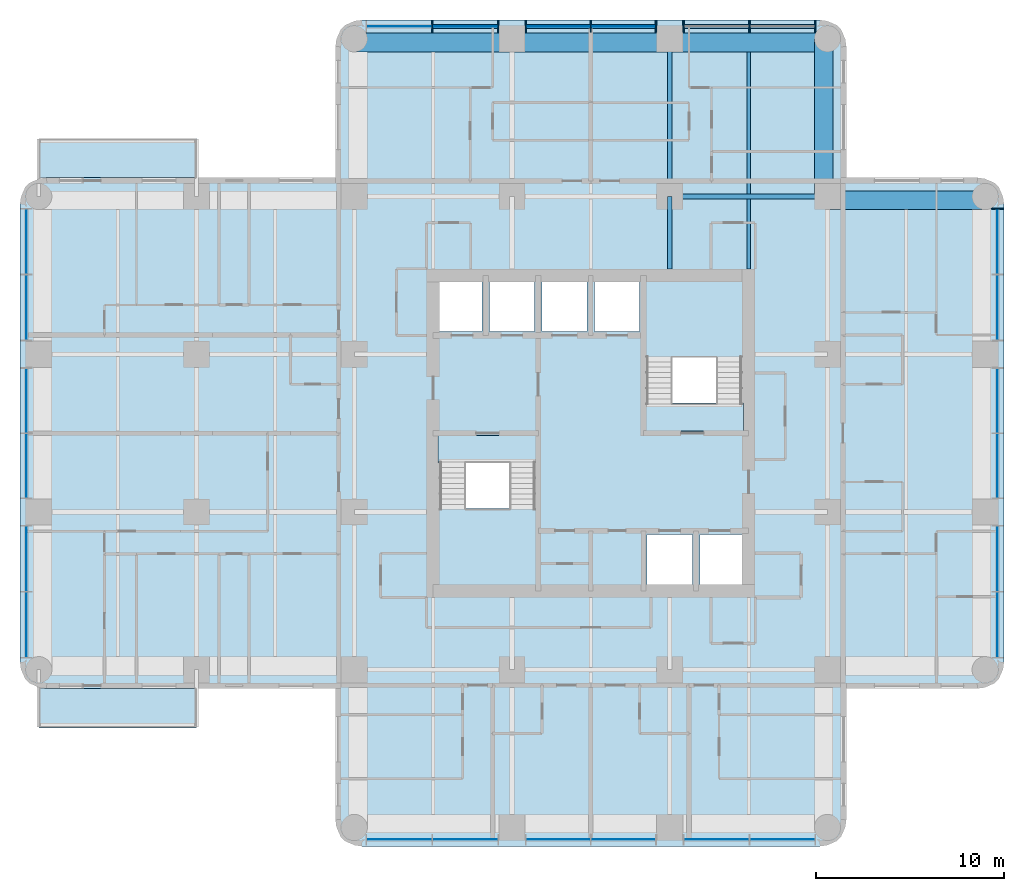
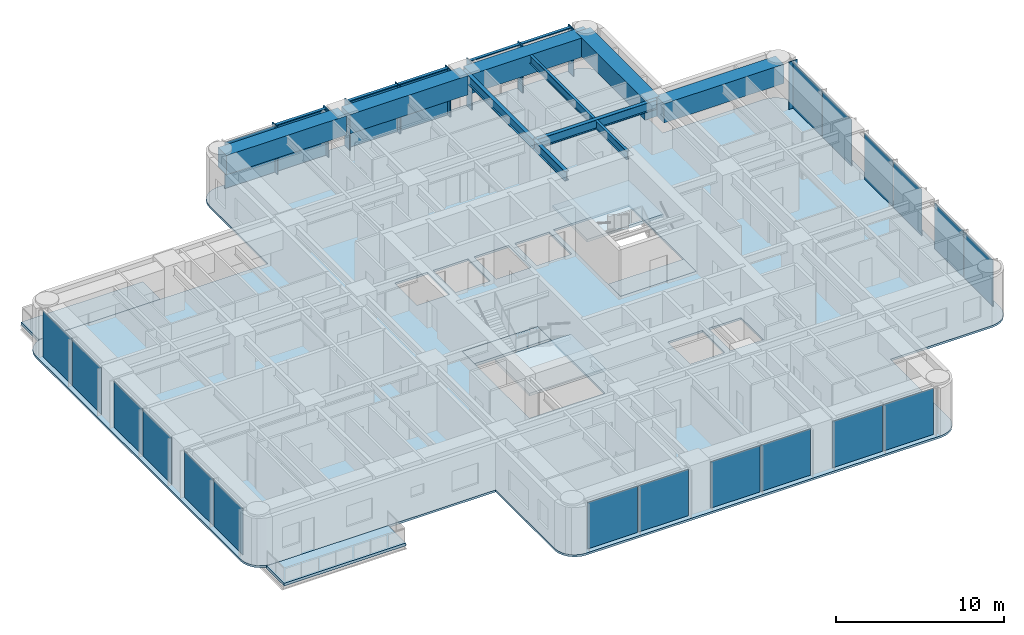
# One storey, part 3 of 11: 22 plates, 14 members, 10 beams, 7 slabs, 6 elements without a shape of their own.
"""IFC4 building model written with IfcOpenShell, lengths in metres."""

from ifc_helpers import new_model, si_unit, direction, frame, origin, origin_2d, place, context, subcontext, project, spatial, polyline, rectangle, i_section, outline, extrude, material, layer, layer_set, material_profile, profile_set, type_object, element, aggregate, save


model = new_model("IFC4")

# Units and contexts
model_context = context("Model", 3, precision=1e-05, world=origin(), true_north=direction((0.0, 1.0)))
body_context = subcontext(model_context, "Body", "Model", "MODEL_VIEW")
ifc_project = project(units=[si_unit("LENGTHUNIT", "METRE"), si_unit("AREAUNIT", "SQUARE_METRE"), si_unit("VOLUMEUNIT", "CUBIC_METRE"), si_unit("PLANEANGLEUNIT", "RADIAN"), si_unit("MASSUNIT", "GRAM", prefix="KILO")], contexts=[model_context])

# Site, building, storey
site_placement = place(None, origin())
site = spatial("IfcSite", under=ifc_project, at=site_placement, CompositionType="ELEMENT")
building_placement = place(site_placement, origin())
building = spatial("IfcBuilding", under=site, at=building_placement, Name="Torre Alcanfor", CompositionType="ELEMENT")
storey_placement = place(building_placement, frame((0.0, 0.0, 233.699951171875)))
storey = spatial("IfcBuildingStorey", under=building, at=storey_placement, Name="L61", CompositionType="ELEMENT", Elevation=233.699951171875)

# Curtain wall, member
ifc_material_1 = material(Name="Aluminium and glass", Category="aluminium")
curtain_wall_type = type_object("IfcCurtainWallType", Name="CW-A unitised apartment glazing with vertical FIN", PredefinedType="NOTDEFINED", material=ifc_material_1)
curtain_wall_1_placement = place(storey_placement, origin())
curtain_wall_1 = element("IfcCurtainWall", 1, at=curtain_wall_1_placement, inside=storey, type_object=curtain_wall_type, Name="Curtain wall CW-A L61 8", PredefinedType="NOTDEFINED")
ifc_material_2 = material(Name="Bronze anodised aluminium", Category="aluminium")
ifc_material_profile_1 = material_profile(ifc_material_2, rectangle(XDim=0.60009765625, YDim=0.06494140625, at=origin_2d()), Name="CW-A mullion 65x600")
ifc_profile_set_1 = profile_set([ifc_material_profile_1], Name="Bronze anodised aluminium")
member_type_1 = type_object("IfcMemberType", Name="CW-A mullion with vertical FIN 65x600", PredefinedType="MULLION", material=ifc_profile_set_1)
member_1_placement = place(storey_placement, frame((51.050048828125, 41.35546875, 0.0), z_axis=(0.0, 0.0, 1.0), x_axis=(-1.0, 0.0, 0.0)))
member_1 = element("IfcMember", 2, at=member_1_placement, type_object=member_type_1, Name="CW-A mullion 3.3", PredefinedType="MULLION", context=body_context, shape_type="SweptSolid", body=[
    extrude(rectangle(XDim=0.60009765625, YDim=0.06494140625, at=origin_2d()), origin(), (0.0, 0.0, 1.0), 3.449951171875),
])

# Curtain wall, members
curtain_wall_2_placement = place(storey_placement, origin())
curtain_wall_2 = element("IfcCurtainWall", 3, at=curtain_wall_2_placement, inside=storey, type_object=curtain_wall_type, Name="Curtain wall CW-A L61 11", PredefinedType="NOTDEFINED")
member_2_placement = place(storey_placement, frame((41.35546875, 51.050048828125, 0.0), z_axis=(0.0, 0.0, 1.0), x_axis=(0.0, -1.0, 0.0)))
member_2 = element("IfcMember", 4, at=member_2_placement, type_object=member_type_1, Name="CW-A mullion 1.1", PredefinedType="MULLION", context=body_context, shape_type="SweptSolid", body=[
    extrude(rectangle(XDim=0.60009765625, YDim=0.06494140625, at=origin_2d()), origin(), (0.0, 0.0, 1.0), 3.449951171875),
])
member_3_placement = place(storey_placement, frame((37.846435546875, 51.050048828125, 0.0), z_axis=(0.0, 0.0, 1.0), x_axis=(0.0, -1.0, 0.0)))
member_3 = element("IfcMember", 5, at=member_3_placement, type_object=member_type_1, Name="CW-A mullion 1.2", PredefinedType="MULLION", context=body_context, shape_type="SweptSolid", body=[
    extrude(rectangle(XDim=0.60009765625, YDim=0.06494140625, at=origin_2d()), origin(), (0.0, 0.0, 1.0), 3.449951171875),
])
member_4_placement = place(storey_placement, frame((34.33740234375, 51.050048828125, 0.0), z_axis=(0.0, 0.0, 1.0), x_axis=(0.0, -1.0, 0.0)))
member_4 = element("IfcMember", 6, at=member_4_placement, type_object=member_type_1, Name="CW-A mullion 1.3", PredefinedType="MULLION", context=body_context, shape_type="SweptSolid", body=[
    extrude(rectangle(XDim=0.60009765625, YDim=0.06494140625, at=origin_2d()), origin(), (0.0, 0.0, 1.0), 3.449951171875),
])
member_5_placement = place(storey_placement, frame((32.862548828125, 51.050048828125, 0.0), z_axis=(0.0, 0.0, 1.0), x_axis=(0.0, -1.0, 0.0)))
member_5 = element("IfcMember", 7, at=member_5_placement, type_object=member_type_1, Name="CW-A mullion 2.1", PredefinedType="MULLION", context=body_context, shape_type="SweptSolid", body=[
    extrude(rectangle(XDim=0.60009765625, YDim=0.06494140625, at=origin_2d()), origin(), (0.0, 0.0, 1.0), 3.449951171875),
])
member_6_placement = place(storey_placement, frame((29.39990234375, 51.050048828125, 0.0), z_axis=(0.0, 0.0, 1.0), x_axis=(0.0, -1.0, 0.0)))
member_6 = element("IfcMember", 8, at=member_6_placement, type_object=member_type_1, Name="CW-A mullion 2.2", PredefinedType="MULLION", context=body_context, shape_type="SweptSolid", body=[
    extrude(rectangle(XDim=0.60009765625, YDim=0.06494140625, at=origin_2d()), origin(), (0.0, 0.0, 1.0), 3.449951171875),
])
member_7_placement = place(storey_placement, frame((25.9375, 51.050048828125, 0.0), z_axis=(0.0, 0.0, 1.0), x_axis=(0.0, -1.0, 0.0)))
member_7 = element("IfcMember", 9, at=member_7_placement, type_object=member_type_1, Name="CW-A mullion 2.3", PredefinedType="MULLION", context=body_context, shape_type="SweptSolid", body=[
    extrude(rectangle(XDim=0.60009765625, YDim=0.06494140625, at=origin_2d()), origin(), (0.0, 0.0, 1.0), 3.449951171875),
])
member_8_placement = place(storey_placement, frame((24.46240234375, 51.050048828125, 0.0), z_axis=(0.0, 0.0, 1.0), x_axis=(0.0, -1.0, 0.0)))
member_8 = element("IfcMember", 10, at=member_8_placement, type_object=member_type_1, Name="CW-A mullion 3.1", PredefinedType="MULLION", context=body_context, shape_type="SweptSolid", body=[
    extrude(rectangle(XDim=0.60009765625, YDim=0.06494140625, at=origin_2d()), origin(), (0.0, 0.0, 1.0), 3.449951171875),
])
member_9_placement = place(storey_placement, frame((20.95361328125, 51.050048828125, 0.0), z_axis=(0.0, 0.0, 1.0), x_axis=(0.0, -1.0, 0.0)))
member_9 = element("IfcMember", 11, at=member_9_placement, type_object=member_type_1, Name="CW-A mullion 3.2", PredefinedType="MULLION", context=body_context, shape_type="SweptSolid", body=[
    extrude(rectangle(XDim=0.60009765625, YDim=0.06494140625, at=origin_2d()), origin(), (0.0, 0.0, 1.0), 3.449951171875),
])
ifc_material_3 = material(Name="Extruded aluminium", Category="aluminium")
ifc_material_profile_2 = material_profile(ifc_material_3, rectangle(XDim=0.199951171875, YDim=0.06494140625, at=origin_2d()), Name="CW-A transom 200x65")
ifc_profile_set_2 = profile_set([ifc_material_profile_2], Name="Extruded aluminium")
member_type_2 = type_object("IfcMemberType", Name="CW-A transom 65x200", PredefinedType="USERDEFINED", material=ifc_profile_set_2)
member_10_placement = place(storey_placement, frame((41.322998046875, 51.050048828125, 3.41748046875), z_axis=(-1.0, 0.0, 0.0), x_axis=(0.0, -1.0, 0.0)))
member_10 = element("IfcMember", 12, at=member_10_placement, type_object=member_type_2, Name="CW-A transom 1.1.2", ObjectType="TRANSOM", PredefinedType="USERDEFINED", context=body_context, shape_type="SweptSolid", body=[
    extrude(rectangle(XDim=0.199951171875, YDim=0.06494140625, at=origin_2d()), origin(), (0.0, 0.0, 1.0), 3.444091796875),
])
member_11_placement = place(storey_placement, frame((37.81396484375, 51.050048828125, 3.41748046875), z_axis=(-1.0, 0.0, 0.0), x_axis=(0.0, -1.0, 0.0)))
member_11 = element("IfcMember", 13, at=member_11_placement, type_object=member_type_2, Name="CW-A transom 1.2.2", ObjectType="TRANSOM", PredefinedType="USERDEFINED", context=body_context, shape_type="SweptSolid", body=[
    extrude(rectangle(XDim=0.199951171875, YDim=0.06494140625, at=origin_2d()), origin(), (0.0, 0.0, 1.0), 3.44384765625),
])
member_12_placement = place(storey_placement, frame((32.830078125, 51.050048828125, 3.41748046875), z_axis=(-1.0, 0.0, 0.0), x_axis=(0.0, -1.0, 0.0)))
member_12 = element("IfcMember", 14, at=member_12_placement, type_object=member_type_2, Name="CW-A transom 2.1.2", ObjectType="TRANSOM", PredefinedType="USERDEFINED", context=body_context, shape_type="SweptSolid", body=[
    extrude(rectangle(XDim=0.199951171875, YDim=0.06494140625, at=origin_2d()), origin(), (0.0, 0.0, 1.0), 3.3974609375),
])
member_13_placement = place(storey_placement, frame((29.367431640625, 51.050048828125, 3.41748046875), z_axis=(-1.0, 0.0, 0.0), x_axis=(0.0, -1.0, 0.0)))
member_13 = element("IfcMember", 15, at=member_13_placement, type_object=member_type_2, Name="CW-A transom 2.2.2", ObjectType="TRANSOM", PredefinedType="USERDEFINED", context=body_context, shape_type="SweptSolid", body=[
    extrude(rectangle(XDim=0.199951171875, YDim=0.06494140625, at=origin_2d()), origin(), (0.0, 0.0, 1.0), 3.3974609375),
])
member_14_placement = place(storey_placement, frame((24.429931640625, 51.050048828125, 3.41748046875), z_axis=(-1.0, 0.0, 0.0), x_axis=(0.0, -1.0, 0.0)))
member_14 = element("IfcMember", 16, at=member_14_placement, type_object=member_type_2, Name="CW-A transom 3.1.2", ObjectType="TRANSOM", PredefinedType="USERDEFINED", context=body_context, shape_type="SweptSolid", body=[
    extrude(rectangle(XDim=0.199951171875, YDim=0.06494140625, at=origin_2d()), origin(), (0.0, 0.0, 1.0), 3.44384765625),
])

# Beams
ifc_material_4 = material(Name="Steel ASTM A992 Grade 50", Category="steel")
ifc_material_profile_3 = material_profile(ifc_material_4, i_section(OverallWidth=0.25390625, OverallDepth=0.683349609375, WebThickness=0.012451171875, FlangeThickness=0.01904296875, at=origin_2d()), Name="W27x94")
ifc_profile_set_3 = profile_set([ifc_material_profile_3], Name="Steel ASTM A992 Grade 50")
beam_type_1 = type_object("IfcBeamType", Name="Girder W27x94", PredefinedType="BEAM", material=ifc_profile_set_3)
for number, where, z_axis, x_axis, name in (
    (17, (33.60009765625, 42.0, 3.1083984375), (1.0, 0.0, 0.0), (0.0, 1.0, 0.0), "Beam 5H-6H under L62"),
    (18, (33.60009765625, 42.0, 3.1083984375), (0.0, 1.0, 0.0), (-1.0, 0.0, 0.0), "Beam 5H-5J under L62"),
):
    element("IfcBeam", number, at=place(storey_placement, frame(where, z_axis=z_axis, x_axis=x_axis)), inside=storey, type_object=beam_type_1, Name=name, PredefinedType="BEAM", context=body_context, shape_type="SweptSolid", body=[
        extrude(i_section(OverallWidth=0.25390625, OverallDepth=0.683349609375, WebThickness=0.012451171875, FlangeThickness=0.01904296875, at=origin_2d()), origin(), (0.0, 0.0, 1.0), 8.39990234375),
    ])
ifc_material_5 = material(Name="Steel ASTM A992 Grade 50", Category="steel")
ifc_material_profile_4 = material_profile(ifc_material_5, i_section(OverallWidth=0.25390625, OverallDepth=0.683349609375, WebThickness=0.012451171875, FlangeThickness=0.01904296875, at=origin_2d()), Name="W27x94")
ifc_profile_set_4 = profile_set([ifc_material_profile_4], Name="Steel ASTM A992 Grade 50")
beam_type_2 = type_object("IfcBeamType", Name="Girder, part bay W27x94", PredefinedType="BEAM", material=ifc_profile_set_4)
beam_1_placement = place(storey_placement, frame((33.60009765625, 42.0, 3.1083984375), z_axis=(0.0, -1.0, 0.0), x_axis=(1.0, 0.0, 0.0)))
element("IfcBeam", 19, at=beam_1_placement, inside=storey, type_object=beam_type_2, Name="Beam 5H-538_15 under L62", PredefinedType="BEAM", context=body_context, shape_type="SweptSolid", body=[
    extrude(i_section(OverallWidth=0.25390625, OverallDepth=0.683349609375, WebThickness=0.012451171875, FlangeThickness=0.01904296875, at=origin_2d()), origin(), (0.0, 0.0, 1.0), 3.85009765625),
])
ifc_material_6 = material(Name="Concrete f'c 70 MPa", Category="concrete")
ifc_material_profile_5 = material_profile(ifc_material_6, rectangle(XDim=1.0, YDim=1.39990234375, at=origin_2d()), Name="1000x1400")
ifc_profile_set_5 = profile_set([ifc_material_profile_5], Name="Concrete f'c 70 MPa")
beam_type_3 = type_object("IfcBeamType", Name="RC perimeter beam 1000x1400", PredefinedType="BEAM", material=ifc_profile_set_5)
for number, where, z_axis, x_axis, name in (
    (20, (42.126953125, 41.800048828125, 2.75), (1.0, 0.0, 0.0), (0.0, 1.0, 0.0), "Beam 6H-7H under L62"),
    (21, (16.800048828125, 50.199951171875, 2.75), (1.0, 0.0, 0.0), (0.0, 1.0, 0.0), "Beam 3J-4J under L62"),
):
    element("IfcBeam", number, at=place(storey_placement, frame(where, z_axis=z_axis, x_axis=x_axis)), inside=storey, type_object=beam_type_3, Name=name, PredefinedType="BEAM", context=body_context, shape_type="SweptSolid", body=[
        extrude(rectangle(XDim=1.0, YDim=1.39990234375, at=origin_2d()), origin(), (0.0, 0.0, 1.0), 8.27294921875),
    ])
beam_2_placement = place(storey_placement, frame((25.326904296875, 50.199951171875, 2.75), z_axis=(1.0, 0.0, 0.0), x_axis=(0.0, 1.0, 0.0)))
element("IfcBeam", 22, at=beam_2_placement, inside=storey, type_object=beam_type_3, Name="Beam 4J-5J under L62", PredefinedType="BEAM", context=body_context, shape_type="SweptSolid", body=[
    extrude(rectangle(XDim=1.0, YDim=1.39990234375, at=origin_2d()), origin(), (0.0, 0.0, 1.0), 8.14599609375),
])
for number, where, z_axis, x_axis, name in (
    (23, (33.72705078125, 50.199951171875, 2.75), (1.0, 0.0, 0.0), (0.0, 1.0, 0.0), "Beam 5J-6J under L62"),
    (24, (41.800048828125, 42.126953125, 2.75), (0.0, 1.0, 0.0), (-1.0, 0.0, 0.0), "Beam 6H-6J under L62"),
):
    element("IfcBeam", number, at=place(storey_placement, frame(where, z_axis=z_axis, x_axis=x_axis)), inside=storey, type_object=beam_type_3, Name=name, PredefinedType="BEAM", context=body_context, shape_type="SweptSolid", body=[
        extrude(rectangle(XDim=1.0, YDim=1.39990234375, at=origin_2d()), origin(), (0.0, 0.0, 1.0), 8.27294921875),
    ])
ifc_material_7 = material(Name="Steel ASTM A992 Grade 50", Category="steel")
ifc_material_profile_6 = material_profile(ifc_material_7, i_section(OverallWidth=0.1787109375, OverallDepth=0.60205078125, WebThickness=0.010986328125, FlangeThickness=0.014892578125, at=origin_2d()), Name="W24x62")
ifc_profile_set_6 = profile_set([ifc_material_profile_6], Name="Steel ASTM A992 Grade 50")
beam_type_4 = type_object("IfcBeamType", Name="Secondary beam W24x62", PredefinedType="BEAM", material=ifc_profile_set_6)
beam_3_placement = place(storey_placement, frame((37.800048828125, 42.126953125, 3.149169921875), z_axis=(0.0, 1.0, 0.0), x_axis=(-1.0, 0.0, 0.0)))
element("IfcBeam", 25, at=beam_3_placement, inside=storey, type_object=beam_type_4, Name="Beam 37_8H-37_8J under L62", PredefinedType="BEAM", context=body_context, shape_type="SweptSolid", body=[
    extrude(i_section(OverallWidth=0.1787109375, OverallDepth=0.60205078125, WebThickness=0.010986328125, FlangeThickness=0.014892578125, at=origin_2d()), origin(), (0.0, 0.0, 1.0), 7.572998046875),
])
ifc_material_8 = material(Name="Steel ASTM A992 Grade 50", Category="steel")
ifc_material_profile_7 = material_profile(ifc_material_8, i_section(OverallWidth=0.1787109375, OverallDepth=0.60205078125, WebThickness=0.010986328125, FlangeThickness=0.014892578125, at=origin_2d()), Name="W24x62")
ifc_profile_set_7 = profile_set([ifc_material_profile_7], Name="Steel ASTM A992 Grade 50")
beam_type_5 = type_object("IfcBeamType", Name="Secondary beam, part bay W24x62", PredefinedType="BEAM", material=ifc_profile_set_7)
beam_4_placement = place(storey_placement, frame((37.800048828125, 38.14990234375, 3.149169921875), z_axis=(0.0, 1.0, 0.0), x_axis=(-1.0, 0.0, 0.0)))
element("IfcBeam", 26, at=beam_4_placement, inside=storey, type_object=beam_type_5, Name="Beam 37_838_15-37_8H under L62", PredefinedType="BEAM", context=body_context, shape_type="SweptSolid", body=[
    extrude(i_section(OverallWidth=0.1787109375, OverallDepth=0.60205078125, WebThickness=0.010986328125, FlangeThickness=0.014892578125, at=origin_2d()), origin(), (0.0, 0.0, 1.0), 3.72314453125),
])

# Slabs
ifc_material_9 = material(Name="Concrete f'c 35 MPa", Category="concrete")
ifc_layer_1 = layer(ifc_material_9, 0.199951171875)
ifc_layer_set_1 = layer_set([ifc_layer_1], Name="Balcony slab 200")
slab_type_1 = type_object("IfcSlabType", Name="Balcony slab 200", PredefinedType="FLOOR", material=ifc_layer_set_1)
slab_1_placement = place(storey_placement, frame((0.0, 0.0, -0.199951171875)))
element("IfcSlab", 27, at=slab_1_placement, inside=storey, type_object=slab_type_1, Name="Balcony L61-W1", PredefinedType="FLOOR", context=body_context, shape_type="SweptSolid", body=[
    extrude(outline(polyline([(8.39990234375, 15.800048828125), (0.0, 15.800048828125), (0.0, 13.699951171875), (8.39990234375, 13.699951171875), (8.39990234375, 15.800048828125)])), origin(), (0.0, 0.0, 1.0), 0.199951171875),
])
slab_2_placement = place(storey_placement, frame((0.0, 0.0, -0.199951171875)))
element("IfcSlab", 28, at=slab_2_placement, inside=storey, type_object=slab_type_1, Name="Balcony L61-W2", PredefinedType="FLOOR", context=body_context, shape_type="SweptSolid", body=[
    extrude(outline(polyline([(8.39990234375, 45.10009765625), (0.0, 45.10009765625), (0.0, 43.0), (8.39990234375, 43.0), (8.39990234375, 45.10009765625)])), origin(), (0.0, 0.0, 1.0), 0.199951171875),
])

# Curtain wall, plates
curtain_wall_3_placement = place(storey_placement, origin())
curtain_wall_3 = element("IfcCurtainWall", 29, at=curtain_wall_3_placement, inside=storey, type_object=curtain_wall_type, Name="Curtain wall CW-A L61 2", PredefinedType="NOTDEFINED")
ifc_material_10 = material(Name="Glass", Category="glass")
ifc_layer_2 = layer(ifc_material_10, 0.028076171875)
ifc_layer_set_2 = layer_set([ifc_layer_2], Name="CW-A clear double glazed unit")
plate_type = type_object("IfcPlateType", Name="CW-A clear double glazed unit", PredefinedType="CURTAIN_PANEL", material=ifc_layer_set_2)
plate_1_placement = place(storey_placement, frame((-0.64990234375, 39.60107421875, 0.0), z_axis=(0.0, 0.0, 1.0), x_axis=(0.0, -1.0, 0.0)))
plate_1 = element("IfcPlate", 30, at=plate_1_placement, type_object=plate_type, Name="CW-A panel 1.1.1", PredefinedType="CURTAIN_PANEL", context=body_context, shape_type="SweptSolid", body=[
    extrude(rectangle(XDim=3.444091796875, YDim=0.028076171875, at=origin_2d()), origin(), (0.0, 0.0, 1.0), 3.385009765625),
])
plate_2_placement = place(storey_placement, frame((-0.64990234375, 36.092041015625, 0.0), z_axis=(0.0, 0.0, 1.0), x_axis=(0.0, -1.0, 0.0)))
plate_2 = element("IfcPlate", 31, at=plate_2_placement, type_object=plate_type, Name="CW-A panel 1.2.1", PredefinedType="CURTAIN_PANEL", context=body_context, shape_type="SweptSolid", body=[
    extrude(rectangle(XDim=3.444091796875, YDim=0.028076171875, at=origin_2d()), origin(), (0.0, 0.0, 1.0), 3.385009765625),
])
plate_3_placement = place(storey_placement, frame((-0.64990234375, 31.13134765625, 0.0), z_axis=(0.0, 0.0, 1.0), x_axis=(0.0, -1.0, 0.0)))
plate_3 = element("IfcPlate", 32, at=plate_3_placement, type_object=plate_type, Name="CW-A panel 2.1.1", PredefinedType="CURTAIN_PANEL", context=body_context, shape_type="SweptSolid", body=[
    extrude(rectangle(XDim=3.3974609375, YDim=0.028076171875, at=origin_2d()), origin(), (0.0, 0.0, 1.0), 3.385009765625),
])
plate_4_placement = place(storey_placement, frame((-0.64990234375, 27.668701171875, 0.0), z_axis=(0.0, 0.0, 1.0), x_axis=(0.0, -1.0, 0.0)))
plate_4 = element("IfcPlate", 33, at=plate_4_placement, type_object=plate_type, Name="CW-A panel 2.2.1", PredefinedType="CURTAIN_PANEL", context=body_context, shape_type="SweptSolid", body=[
    extrude(rectangle(XDim=3.3974609375, YDim=0.028076171875, at=origin_2d()), origin(), (0.0, 0.0, 1.0), 3.385009765625),
])
plate_5_placement = place(storey_placement, frame((-0.64990234375, 22.7080078125, 0.0), z_axis=(0.0, 0.0, 1.0), x_axis=(0.0, -1.0, 0.0)))
plate_5 = element("IfcPlate", 34, at=plate_5_placement, type_object=plate_type, Name="CW-A panel 3.1.1", PredefinedType="CURTAIN_PANEL", context=body_context, shape_type="SweptSolid", body=[
    extrude(rectangle(XDim=3.444091796875, YDim=0.028076171875, at=origin_2d()), origin(), (0.0, 0.0, 1.0), 3.385009765625),
])
plate_6_placement = place(storey_placement, frame((-0.64990234375, 19.198974609375, 0.0), z_axis=(0.0, 0.0, 1.0), x_axis=(0.0, -1.0, 0.0)))
plate_6 = element("IfcPlate", 35, at=plate_6_placement, type_object=plate_type, Name="CW-A panel 3.2.1", PredefinedType="CURTAIN_PANEL", context=body_context, shape_type="SweptSolid", body=[
    extrude(rectangle(XDim=3.444091796875, YDim=0.028076171875, at=origin_2d()), origin(), (0.0, 0.0, 1.0), 3.385009765625),
])
aggregate(curtain_wall_3, [plate_1, plate_2, plate_3, plate_4, plate_5, plate_6])

curtain_wall_4_placement = place(storey_placement, origin())
curtain_wall_4 = element("IfcCurtainWall", 36, at=curtain_wall_4_placement, inside=storey, type_object=curtain_wall_type, Name="Curtain wall CW-A L61 5", PredefinedType="NOTDEFINED")
plate_7_placement = place(storey_placement, frame((19.198974609375, 7.75, 0.0), z_axis=(0.0, 0.0, 1.0), x_axis=(1.0, 0.0, 0.0)))
plate_7 = element("IfcPlate", 37, at=plate_7_placement, type_object=plate_type, Name="CW-A panel 1.1.1", PredefinedType="CURTAIN_PANEL", context=body_context, shape_type="SweptSolid", body=[
    extrude(rectangle(XDim=3.444091796875, YDim=0.028076171875, at=origin_2d()), origin(), (0.0, 0.0, 1.0), 3.385009765625),
])
plate_8_placement = place(storey_placement, frame((22.7080078125, 7.75, 0.0), z_axis=(0.0, 0.0, 1.0), x_axis=(1.0, 0.0, 0.0)))
plate_8 = element("IfcPlate", 38, at=plate_8_placement, type_object=plate_type, Name="CW-A panel 1.2.1", PredefinedType="CURTAIN_PANEL", context=body_context, shape_type="SweptSolid", body=[
    extrude(rectangle(XDim=3.444091796875, YDim=0.028076171875, at=origin_2d()), origin(), (0.0, 0.0, 1.0), 3.385009765625),
])
plate_9_placement = place(storey_placement, frame((27.668701171875, 7.75, 0.0), z_axis=(0.0, 0.0, 1.0), x_axis=(1.0, 0.0, 0.0)))
plate_9 = element("IfcPlate", 39, at=plate_9_placement, type_object=plate_type, Name="CW-A panel 2.1.1", PredefinedType="CURTAIN_PANEL", context=body_context, shape_type="SweptSolid", body=[
    extrude(rectangle(XDim=3.3974609375, YDim=0.028076171875, at=origin_2d()), origin(), (0.0, 0.0, 1.0), 3.385009765625),
])
plate_10_placement = place(storey_placement, frame((31.13134765625, 7.75, 0.0), z_axis=(0.0, 0.0, 1.0), x_axis=(1.0, 0.0, 0.0)))
plate_10 = element("IfcPlate", 40, at=plate_10_placement, type_object=plate_type, Name="CW-A panel 2.2.1", PredefinedType="CURTAIN_PANEL", context=body_context, shape_type="SweptSolid", body=[
    extrude(rectangle(XDim=3.3974609375, YDim=0.028076171875, at=origin_2d()), origin(), (0.0, 0.0, 1.0), 3.385009765625),
])
plate_11_placement = place(storey_placement, frame((36.092041015625, 7.75, 0.0), z_axis=(0.0, 0.0, 1.0), x_axis=(1.0, 0.0, 0.0)))
plate_11 = element("IfcPlate", 41, at=plate_11_placement, type_object=plate_type, Name="CW-A panel 3.1.1", PredefinedType="CURTAIN_PANEL", context=body_context, shape_type="SweptSolid", body=[
    extrude(rectangle(XDim=3.444091796875, YDim=0.028076171875, at=origin_2d()), origin(), (0.0, 0.0, 1.0), 3.385009765625),
])
plate_12_placement = place(storey_placement, frame((39.60107421875, 7.75, 0.0), z_axis=(0.0, 0.0, 1.0), x_axis=(1.0, 0.0, 0.0)))
plate_12 = element("IfcPlate", 42, at=plate_12_placement, type_object=plate_type, Name="CW-A panel 3.2.1", PredefinedType="CURTAIN_PANEL", context=body_context, shape_type="SweptSolid", body=[
    extrude(rectangle(XDim=3.444091796875, YDim=0.028076171875, at=origin_2d()), origin(), (0.0, 0.0, 1.0), 3.385009765625),
])
aggregate(curtain_wall_4, [plate_7, plate_8, plate_9, plate_10, plate_11, plate_12])

# Plate
plate_13_placement = place(storey_placement, frame((51.050048828125, 19.198974609375, 0.0), z_axis=(0.0, 0.0, 1.0), x_axis=(0.0, 1.0, 0.0)))
plate_13 = element("IfcPlate", 43, at=plate_13_placement, type_object=plate_type, Name="CW-A panel 1.1.1", PredefinedType="CURTAIN_PANEL", context=body_context, shape_type="SweptSolid", body=[
    extrude(rectangle(XDim=3.444091796875, YDim=0.028076171875, at=origin_2d()), origin(), (0.0, 0.0, 1.0), 3.385009765625),
])

plate_14_placement = place(storey_placement, frame((51.050048828125, 22.7080078125, 0.0), z_axis=(0.0, 0.0, 1.0), x_axis=(0.0, 1.0, 0.0)))
plate_14 = element("IfcPlate", 44, at=plate_14_placement, type_object=plate_type, Name="CW-A panel 1.2.1", PredefinedType="CURTAIN_PANEL", context=body_context, shape_type="SweptSolid", body=[
    extrude(rectangle(XDim=3.444091796875, YDim=0.028076171875, at=origin_2d()), origin(), (0.0, 0.0, 1.0), 3.385009765625),
])

plate_15_placement = place(storey_placement, frame((51.050048828125, 27.668701171875, 0.0), z_axis=(0.0, 0.0, 1.0), x_axis=(0.0, 1.0, 0.0)))
plate_15 = element("IfcPlate", 45, at=plate_15_placement, type_object=plate_type, Name="CW-A panel 2.1.1", PredefinedType="CURTAIN_PANEL", context=body_context, shape_type="SweptSolid", body=[
    extrude(rectangle(XDim=3.3974609375, YDim=0.028076171875, at=origin_2d()), origin(), (0.0, 0.0, 1.0), 3.385009765625),
])

plate_16_placement = place(storey_placement, frame((51.050048828125, 31.13134765625, 0.0), z_axis=(0.0, 0.0, 1.0), x_axis=(0.0, 1.0, 0.0)))
plate_16 = element("IfcPlate", 46, at=plate_16_placement, type_object=plate_type, Name="CW-A panel 2.2.1", PredefinedType="CURTAIN_PANEL", context=body_context, shape_type="SweptSolid", body=[
    extrude(rectangle(XDim=3.3974609375, YDim=0.028076171875, at=origin_2d()), origin(), (0.0, 0.0, 1.0), 3.385009765625),
])

plate_17_placement = place(storey_placement, frame((51.050048828125, 36.092041015625, 0.0), z_axis=(0.0, 0.0, 1.0), x_axis=(0.0, 1.0, 0.0)))
plate_17 = element("IfcPlate", 47, at=plate_17_placement, type_object=plate_type, Name="CW-A panel 3.1.1", PredefinedType="CURTAIN_PANEL", context=body_context, shape_type="SweptSolid", body=[
    extrude(rectangle(XDim=3.444091796875, YDim=0.028076171875, at=origin_2d()), origin(), (0.0, 0.0, 1.0), 3.385009765625),
])

plate_18_placement = place(storey_placement, frame((51.050048828125, 39.60107421875, 0.0), z_axis=(0.0, 0.0, 1.0), x_axis=(0.0, 1.0, 0.0)))
plate_18 = element("IfcPlate", 48, at=plate_18_placement, type_object=plate_type, Name="CW-A panel 3.2.1", PredefinedType="CURTAIN_PANEL", context=body_context, shape_type="SweptSolid", body=[
    extrude(rectangle(XDim=3.444091796875, YDim=0.028076171875, at=origin_2d()), origin(), (0.0, 0.0, 1.0), 3.385009765625),
])

aggregate(curtain_wall_1, [plate_13, plate_14, plate_15, plate_16, member_1, plate_17, plate_18])

plate_19_placement = place(storey_placement, frame((31.13134765625, 51.050048828125, 0.0), z_axis=(0.0, 0.0, 1.0), x_axis=(-1.0, 0.0, 0.0)))
plate_19 = element("IfcPlate", 49, at=plate_19_placement, type_object=plate_type, Name="CW-A panel 2.1.1", PredefinedType="CURTAIN_PANEL", context=body_context, shape_type="SweptSolid", body=[
    extrude(rectangle(XDim=3.3974609375, YDim=0.028076171875, at=origin_2d()), origin(), (0.0, 0.0, 1.0), 3.385009765625),
])

plate_20_placement = place(storey_placement, frame((27.668701171875, 51.050048828125, 0.0), z_axis=(0.0, 0.0, 1.0), x_axis=(-1.0, 0.0, 0.0)))
plate_20 = element("IfcPlate", 50, at=plate_20_placement, type_object=plate_type, Name="CW-A panel 2.2.1", PredefinedType="CURTAIN_PANEL", context=body_context, shape_type="SweptSolid", body=[
    extrude(rectangle(XDim=3.3974609375, YDim=0.028076171875, at=origin_2d()), origin(), (0.0, 0.0, 1.0), 3.385009765625),
])

plate_21_placement = place(storey_placement, frame((22.7080078125, 51.050048828125, 0.0), z_axis=(0.0, 0.0, 1.0), x_axis=(-1.0, 0.0, 0.0)))
plate_21 = element("IfcPlate", 51, at=plate_21_placement, type_object=plate_type, Name="CW-A panel 3.1.1", PredefinedType="CURTAIN_PANEL", context=body_context, shape_type="SweptSolid", body=[
    extrude(rectangle(XDim=3.444091796875, YDim=0.028076171875, at=origin_2d()), origin(), (0.0, 0.0, 1.0), 3.385009765625),
])

plate_22_placement = place(storey_placement, frame((19.198974609375, 51.050048828125, 0.0), z_axis=(0.0, 0.0, 1.0), x_axis=(-1.0, 0.0, 0.0)))
plate_22 = element("IfcPlate", 52, at=plate_22_placement, type_object=plate_type, Name="CW-A panel 3.2.1", PredefinedType="CURTAIN_PANEL", context=body_context, shape_type="SweptSolid", body=[
    extrude(rectangle(XDim=3.444091796875, YDim=0.028076171875, at=origin_2d()), origin(), (0.0, 0.0, 1.0), 3.385009765625),
])

aggregate(curtain_wall_2, [member_2, member_3, member_4, member_10, member_11, member_5, member_6, member_7, member_12, plate_19, member_13, plate_20, member_8, member_9, member_14, plate_21, plate_22])

# Slab
ifc_material_11 = material(Name="Concrete f'c 35 MPa", Category="concrete")
ifc_layer_3 = layer(ifc_material_11, 0.14990234375)
ifc_layer_set_3 = layer_set([ifc_layer_3], Name="Composite floor 150 on metal deck")
slab_type_2 = type_object("IfcSlabType", Name="Composite floor 150 on metal deck", PredefinedType="FLOOR", material=ifc_layer_set_3)
slab_3_placement = place(storey_placement, frame((0.0, 0.0, -0.14990234375)))
element("IfcSlab", 53, at=slab_3_placement, inside=storey, type_object=slab_type_2, Name="Floor slab L61", PredefinedType="FLOOR", context=body_context, shape_type="SweptSolid", body=[
    extrude(outline(polyline([(15.800048828125, 43.0), (0.39990234375, 43.0), (0.03759765625, 42.952392578125), (-0.300048828125, 42.8125), (-0.58984375, 42.58984375), (-0.8125, 42.300048828125), (-0.952392578125, 41.96240234375), (-1.0, 41.60009765625), (-1.0, 17.199951171875), (-0.952392578125, 16.837646484375), (-0.8125, 16.5), (-0.58984375, 16.210205078125), (-0.300048828125, 15.987548828125), (0.03759765625, 15.84765625), (0.39990234375, 15.800048828125), (15.800048828125, 15.800048828125), (15.800048828125, 8.800048828125), (15.84765625, 8.437744140625), (15.987548828125, 8.10009765625), (16.210205078125, 7.81005859375), (16.5, 7.587646484375), (16.837646484375, 7.44775390625), (17.199951171875, 7.39990234375), (41.60009765625, 7.39990234375), (41.96240234375, 7.44775390625), (42.300048828125, 7.587646484375), (42.58984375, 7.81005859375), (42.8125, 8.10009765625), (42.952392578125, 8.437744140625), (43.0, 8.800048828125), (43.0, 15.800048828125), (50.0, 15.800048828125), (50.3623046875, 15.84765625), (50.699951171875, 15.987548828125), (50.989990234375, 16.210205078125), (51.21240234375, 16.5), (51.352294921875, 16.837646484375), (51.39990234375, 17.199951171875), (51.39990234375, 41.60009765625), (51.352294921875, 41.96240234375), (51.21240234375, 42.300048828125), (50.989990234375, 42.58984375), (50.699951171875, 42.8125), (50.3623046875, 42.952392578125), (50.0, 43.0), (43.0, 43.0), (43.0, 50.0), (42.952392578125, 50.3623046875), (42.8125, 50.699951171875), (42.58984375, 50.989990234375), (42.300048828125, 51.21240234375), (41.96240234375, 51.352294921875), (41.60009765625, 51.39990234375), (17.199951171875, 51.39990234375), (16.837646484375, 51.352294921875), (16.5, 51.21240234375), (16.210205078125, 50.989990234375), (15.987548828125, 50.699951171875), (15.84765625, 50.3623046875), (15.800048828125, 50.0), (15.800048828125, 43.0)]), holes=[polyline([(21.27001953125, 21.27001953125), (26.47998046875, 21.27001953125), (26.47998046875, 29.280029296875), (21.27001953125, 29.280029296875), (21.27001953125, 21.27001953125)]), polyline([(32.320068359375, 29.52001953125), (37.530029296875, 29.52001953125), (37.530029296875, 37.530029296875), (32.320068359375, 37.530029296875), (32.320068359375, 29.52001953125)]), polyline([(32.39990234375, 21.35009765625), (34.800048828125, 21.35009765625), (34.800048828125, 24.0), (32.39990234375, 24.0), (32.39990234375, 21.35009765625)]), polyline([(35.199951171875, 21.35009765625), (37.449951171875, 21.35009765625), (37.449951171875, 24.0), (35.199951171875, 24.0), (35.199951171875, 21.35009765625)]), polyline([(21.35009765625, 34.800048828125), (23.60009765625, 34.800048828125), (23.60009765625, 37.449951171875), (21.35009765625, 37.449951171875), (21.35009765625, 34.800048828125)]), polyline([(24.0, 34.800048828125), (26.39990234375, 34.800048828125), (26.39990234375, 37.449951171875), (24.0, 37.449951171875), (24.0, 34.800048828125)]), polyline([(26.800048828125, 34.800048828125), (29.199951171875, 34.800048828125), (29.199951171875, 37.449951171875), (26.800048828125, 37.449951171875), (26.800048828125, 34.800048828125)]), polyline([(29.60009765625, 34.800048828125), (32.0, 34.800048828125), (32.0, 37.449951171875), (29.60009765625, 37.449951171875), (29.60009765625, 34.800048828125)])]), origin(), (0.0, 0.0, 1.0), 0.14990234375),
])

# Stair, slabs
ifc_material_12 = material(Name="Concrete f'c 35 MPa", Category="concrete")
stair_type_1 = type_object("IfcStairType", Name="Exit stair S1 1400 wide", PredefinedType="HALF_TURN_STAIR", material=ifc_material_12)
stair_1_placement = place(storey_placement, origin())
stair_1 = element("IfcStair", 54, at=stair_1_placement, inside=storey, type_object=stair_type_1, Name="Stair S1 L61 to L62", PredefinedType="HALF_TURN_STAIR")
ifc_material_13 = material(Name="Concrete f'c 35 MPa", Category="concrete")
ifc_layer_4 = layer(ifc_material_13, 0.199951171875)
ifc_layer_set_4 = layer_set([ifc_layer_4], Name="Stair landing 200")
slab_type_3 = type_object("IfcSlabType", Name="Stair landing 200", PredefinedType="LANDING", material=ifc_layer_set_4)
slab_4_placement = place(storey_placement, frame((0.0, 0.0, -0.199951171875)))
slab_4 = element("IfcSlab", 55, at=slab_4_placement, type_object=slab_type_3, Name="S1 landing 1", PredefinedType="LANDING", context=body_context, shape_type="SweptSolid", body=[
    extrude(outline(polyline([(21.27001953125, 27.800048828125), (26.47998046875, 27.800048828125), (26.47998046875, 29.280029296875), (21.27001953125, 29.280029296875), (21.27001953125, 27.800048828125)])), origin(), (0.0, 0.0, 1.0), 0.199951171875),
])
slab_5_placement = place(storey_placement, frame((0.0, 0.0, 1.60009765625)))
slab_5 = element("IfcSlab", 56, at=slab_5_placement, type_object=slab_type_3, Name="S1 landing 2", PredefinedType="LANDING", context=body_context, shape_type="SweptSolid", body=[
    extrude(outline(polyline([(21.27001953125, 21.27001953125), (26.530029296875, 21.27001953125), (26.530029296875, 25.3798828125), (21.27001953125, 25.3798828125), (21.27001953125, 21.27001953125)])), origin(), (0.0, 0.0, 1.0), 0.199951171875),
])
aggregate(stair_1, [slab_4, slab_5])

ifc_material_14 = material(Name="Concrete f'c 35 MPa", Category="concrete")
stair_type_2 = type_object("IfcStairType", Name="Exit stair S2 1400 wide", PredefinedType="HALF_TURN_STAIR", material=ifc_material_14)
stair_2_placement = place(storey_placement, origin())
stair_2 = element("IfcStair", 57, at=stair_2_placement, inside=storey, type_object=stair_type_2, Name="Stair S2 L61 to L62", PredefinedType="HALF_TURN_STAIR")
slab_6_placement = place(storey_placement, frame((0.0, 0.0, -0.199951171875)))
slab_6 = element("IfcSlab", 58, at=slab_6_placement, type_object=slab_type_3, Name="S2 landing 1", PredefinedType="LANDING", context=body_context, shape_type="SweptSolid", body=[
    extrude(outline(polyline([(32.320068359375, 29.52001953125), (37.530029296875, 29.52001953125), (37.530029296875, 31.0), (32.320068359375, 31.0), (32.320068359375, 29.52001953125)])), origin(), (0.0, 0.0, 1.0), 0.199951171875),
])
slab_7_placement = place(storey_placement, frame((0.0, 0.0, 1.60009765625)))
slab_7 = element("IfcSlab", 59, at=slab_7_placement, type_object=slab_type_3, Name="S2 landing 2", PredefinedType="LANDING", context=body_context, shape_type="SweptSolid", body=[
    extrude(outline(polyline([(32.27001953125, 33.419921875), (37.530029296875, 33.419921875), (37.530029296875, 37.530029296875), (32.27001953125, 37.530029296875), (32.27001953125, 33.419921875)])), origin(), (0.0, 0.0, 1.0), 0.199951171875),
])
aggregate(stair_2, [slab_6, slab_7])

save(model, "model.ifc")
